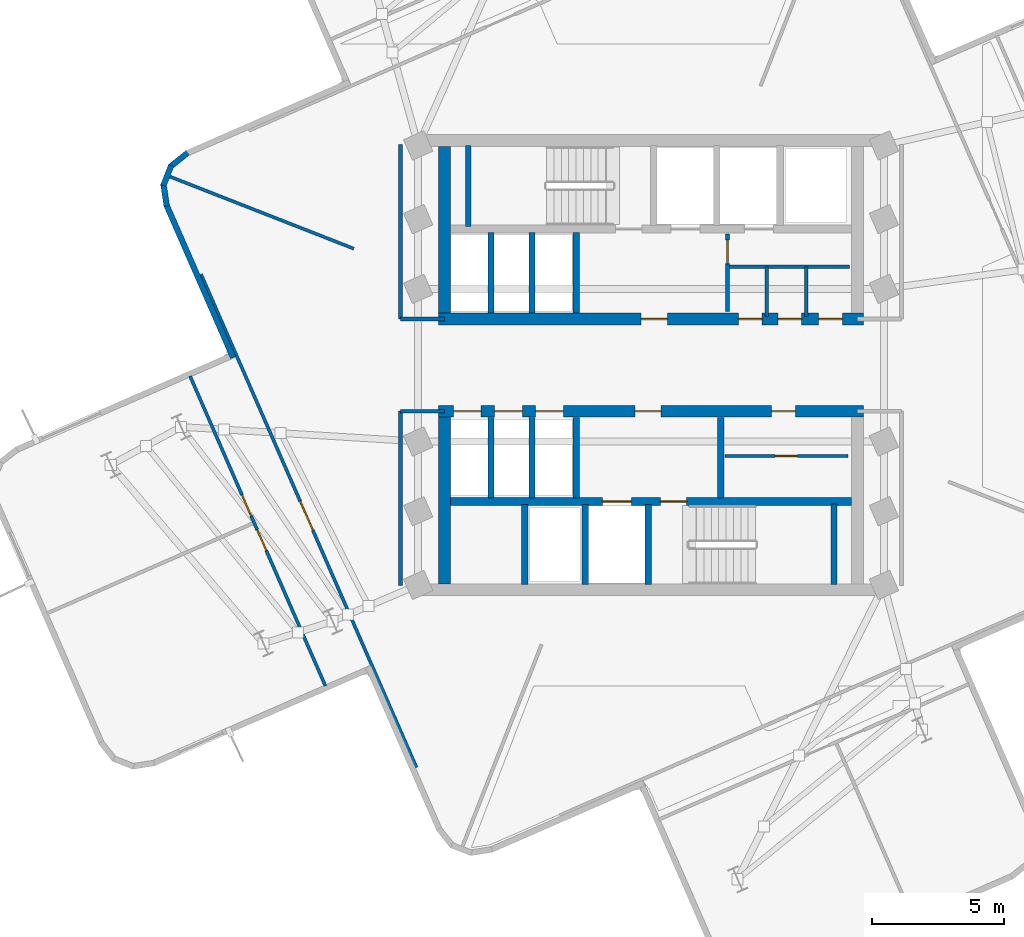
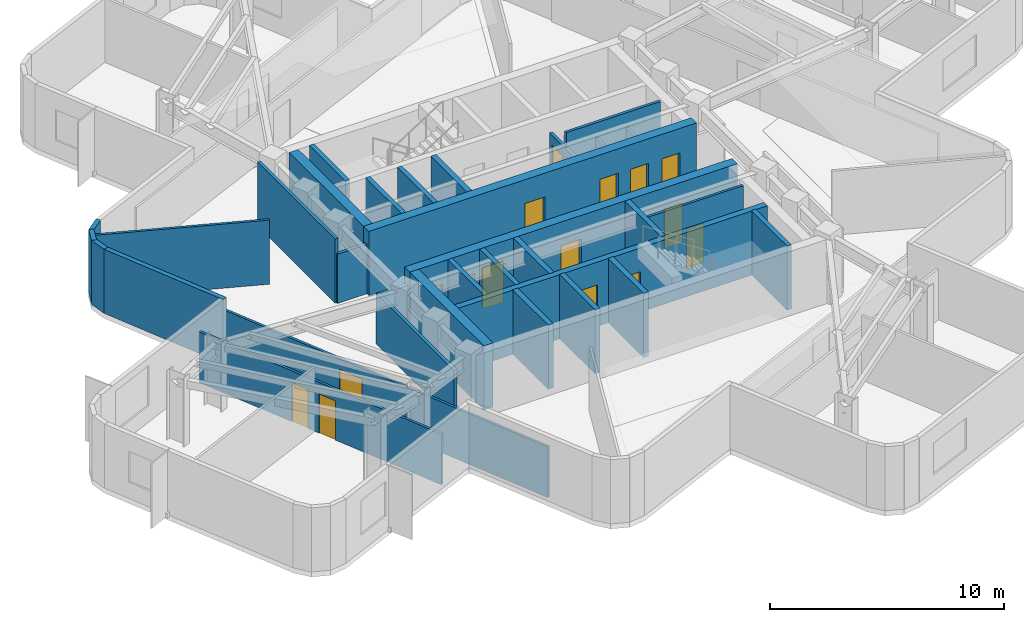
# One storey, part 3 of 8: 33 walls, 16 doors, 16 openings.
"""IFC4 building model written with IfcOpenShell, lengths in metres."""

from ifc_helpers import new_model, si_unit, direction, frame, frame_2d, origin, place, context, subcontext, project, spatial, rectangle, extrude, material, layer, layer_set, type_object, element, fill, save


model = new_model("IFC4")

# Units and contexts
model_context = context("Model", 3, precision=1e-05, world=origin(), true_north=direction((0.0, 1.0)))
body_context = subcontext(model_context, "Body", "Model", "MODEL_VIEW")
ifc_project = project(units=[si_unit("LENGTHUNIT", "METRE"), si_unit("AREAUNIT", "SQUARE_METRE"), si_unit("VOLUMEUNIT", "CUBIC_METRE"), si_unit("PLANEANGLEUNIT", "RADIAN"), si_unit("MASSUNIT", "GRAM", prefix="KILO")], contexts=[model_context])

# Site, building, storey
site_placement = place(None, origin())
site = spatial("IfcSite", under=ifc_project, at=site_placement, CompositionType="ELEMENT")
building_placement = place(site_placement, origin())
building = spatial("IfcBuilding", under=site, at=building_placement, Name="Solmarez Civic Tower", CompositionType="ELEMENT")
storey_placement = place(building_placement, frame((0.0, 0.0, 181.080078125)))
storey = spatial("IfcBuildingStorey", under=building, at=storey_placement, Name="L48", CompositionType="ELEMENT", Elevation=181.080078125)

# Wall, openings, doors
ifc_material_1 = material(Name="Concrete C50/60", Category="concrete")
ifc_layer_1 = layer(ifc_material_1, 0.449951171875)
ifc_layer_set_1 = layer_set([ifc_layer_1], Name="Concrete C50/60")
wall_type_1 = type_object("IfcWallType", Name="WALL-CORE-450", PredefinedType="SHEAR", material=ifc_layer_set_1)
wall_1_placement = place(storey_placement, frame((8.070068359375, 1.75, 0.0), z_axis=(0.0, 0.0, 1.0), x_axis=(-1.0, 0.0, 0.0)))
wall_1 = element("IfcWall", 1, at=wall_1_placement, inside=storey, type_object=wall_type_1, Name="L48 Split-Core Structural Wall NCW-S-L48", PredefinedType="SHEAR", context=body_context, shape_type="SweptSolid", body=[
    extrude(rectangle(XDim=16.14013671875, YDim=0.449951171875, at=frame_2d((8.070068359375, 0.0))), origin(), (0.0, 0.0, 1.0), 3.33984375),
])
opening_1_placement = place(wall_1_placement, frame((7.449951171875, 0.0, 0.0)))
opening_1 = element("IfcOpeningElement", 2, at=opening_1_placement, cuts=wall_1, Name="Opening D-04", PredefinedType="OPENING", context=body_context, shape_type="SweptSolid", body=[
    extrude(rectangle(XDim=1.0, YDim=2.10009765625, at=frame_2d((0.5, 1.050048828125))), frame((0.0, 0.23486328125, 0.0), z_axis=(0.0, -1.0, 0.0), x_axis=(1.0, 0.0, 0.0)), (0.0, 0.0, 1.0), 0.469970703125),
])
opening_2_placement = place(wall_1_placement, frame((3.85009765625, 0.0, 0.0)))
opening_2 = element("IfcOpeningElement", 3, at=opening_2_placement, cuts=wall_1, Name="Opening D-09", PredefinedType="OPENING", context=body_context, shape_type="SweptSolid", body=[
    extrude(rectangle(XDim=0.89990234375, YDim=2.06005859375, at=frame_2d((0.449951171875, 1.030029296875))), frame((0.0, 0.23486328125, 0.0), z_axis=(0.0, -1.0, 0.0), x_axis=(1.0, 0.0, 0.0)), (0.0, 0.0, 1.0), 0.469970703125),
])
opening_3_placement = place(wall_1_placement, frame((2.35009765625, 0.0, 0.0)))
opening_3 = element("IfcOpeningElement", 4, at=opening_3_placement, cuts=wall_1, Name="Opening D-09", PredefinedType="OPENING", context=body_context, shape_type="SweptSolid", body=[
    extrude(rectangle(XDim=0.89990234375, YDim=2.06005859375, at=frame_2d((0.449951171875, 1.030029296875))), frame((0.0, 0.23486328125, 0.0), z_axis=(0.0, -1.0, 0.0), x_axis=(1.0, 0.0, 0.0)), (0.0, 0.0, 1.0), 0.469970703125),
])
opening_4_placement = place(wall_1_placement, frame((0.800048828125, 0.0, 0.0)))
opening_4 = element("IfcOpeningElement", 5, at=opening_4_placement, cuts=wall_1, Name="Opening D-09", PredefinedType="OPENING", context=body_context, shape_type="SweptSolid", body=[
    extrude(rectangle(XDim=0.89990234375, YDim=2.06005859375, at=frame_2d((0.449951171875, 1.030029296875))), frame((0.0, 0.23486328125, 0.0), z_axis=(0.0, -1.0, 0.0), x_axis=(1.0, 0.0, 0.0)), (0.0, 0.0, 1.0), 0.469970703125),
])
ifc_material_2 = material(Name="Steel-Faced Acoustic Fire Door", Category="steel")
door_type_1 = type_object("IfcDoorType", Name="DOOR-FD60-1000", OperationType="NOTDEFINED", PredefinedType="DOOR", material=ifc_material_2)
door_1_placement = place(opening_1_placement, origin())
door_1 = element("IfcDoor", 6, at=door_1_placement, inside=storey, type_object=door_type_1, Name="L48 North Firefighting Lobby Door", OperationType="SINGLE_SWING_LEFT", OverallHeight=2.10009765625, OverallWidth=1.0, PredefinedType="DOOR", context=body_context, shape_type="SweptSolid", body=[
    extrude(rectangle(XDim=1.0, YDim=2.10009765625, at=frame_2d((0.5, 1.050048828125))), frame((0.0, 0.02490234375, 0.0), z_axis=(0.0, -1.0, 0.0), x_axis=(1.0, 0.0, 0.0)), (0.0, 0.0, 1.0), 0.050048828125),
])
fill(opening_1, door_1)
ifc_material_3 = material(Name="Fire-Rated Service Core Door", Category="wood")
door_type_2 = type_object("IfcDoorType", Name="DOOR-FD60-900", OperationType="NOTDEFINED", PredefinedType="DOOR", material=ifc_material_3)
door_2_placement = place(opening_2_placement, origin())
door_2 = element("IfcDoor", 7, at=door_2_placement, inside=storey, type_object=door_type_2, Name="L48 Core WC Door", OperationType="SINGLE_SWING_RIGHT", OverallHeight=2.06005859375, OverallWidth=0.89990234375, PredefinedType="DOOR", context=body_context, shape_type="SweptSolid", body=[
    extrude(rectangle(XDim=0.89990234375, YDim=2.06005859375, at=frame_2d((0.449951171875, 1.030029296875))), frame((0.0, 0.02490234375, 0.0), z_axis=(0.0, -1.0, 0.0), x_axis=(1.0, 0.0, 0.0)), (0.0, 0.0, 1.0), 0.050048828125),
])
fill(opening_2, door_2)
door_3_placement = place(opening_3_placement, origin())
door_3 = element("IfcDoor", 8, at=door_3_placement, inside=storey, type_object=door_type_2, Name="L48 Core CL Door", OperationType="SINGLE_SWING_LEFT", OverallHeight=2.06005859375, OverallWidth=0.89990234375, PredefinedType="DOOR", context=body_context, shape_type="SweptSolid", body=[
    extrude(rectangle(XDim=0.89990234375, YDim=2.06005859375, at=frame_2d((0.449951171875, 1.030029296875))), frame((0.0, 0.02490234375, 0.0), z_axis=(0.0, -1.0, 0.0), x_axis=(1.0, 0.0, 0.0)), (0.0, 0.0, 1.0), 0.050048828125),
])
fill(opening_3, door_3)
door_4_placement = place(opening_4_placement, origin())
door_4 = element("IfcDoor", 9, at=door_4_placement, inside=storey, type_object=door_type_2, Name="L48 Core IT Door", OperationType="SINGLE_SWING_LEFT", OverallHeight=2.06005859375, OverallWidth=0.89990234375, PredefinedType="DOOR", context=body_context, shape_type="SweptSolid", body=[
    extrude(rectangle(XDim=0.89990234375, YDim=2.06005859375, at=frame_2d((0.449951171875, 1.030029296875))), frame((0.0, 0.02490234375, 0.0), z_axis=(0.0, -1.0, 0.0), x_axis=(1.0, 0.0, 0.0)), (0.0, 0.0, 1.0), 0.050048828125),
])
fill(opening_4, door_4)

# Wall
wall_2_placement = place(storey_placement, frame((-7.844970703125, 1.97509765625, 0.0), z_axis=(0.0, 0.0, 1.0), x_axis=(0.0, 1.0, 0.0)))
element("IfcWall", 10, at=wall_2_placement, inside=storey, type_object=wall_type_1, Name="L48 Split-Core Structural Wall NCW-W-L48", PredefinedType="SHEAR", context=body_context, shape_type="SweptSolid", body=[
    extrude(rectangle(XDim=6.3349609375, YDim=0.449951171875, at=frame_2d((3.16748046875, 0.0))), origin(), (0.0, 0.0, 1.0), 3.33984375),
])

# Wall, openings, doors
wall_3_placement = place(storey_placement, frame((-8.070068359375, -1.75, 0.0), z_axis=(0.0, 0.0, 1.0), x_axis=(1.0, 0.0, 0.0)))
wall_3 = element("IfcWall", 11, at=wall_3_placement, inside=storey, type_object=wall_type_1, Name="L48 Split-Core Structural Wall SCW-N-L48", PredefinedType="SHEAR", context=body_context, shape_type="SweptSolid", body=[
    extrude(rectangle(XDim=16.14013671875, YDim=0.449951171875, at=frame_2d((8.070068359375, 0.0))), origin(), (0.0, 0.0, 1.0), 3.33984375),
])
opening_5_placement = place(wall_3_placement, frame((7.449951171875, 0.0, 0.0)))
opening_5 = element("IfcOpeningElement", 12, at=opening_5_placement, cuts=wall_3, Name="Opening D-04", PredefinedType="OPENING", context=body_context, shape_type="SweptSolid", body=[
    extrude(rectangle(XDim=1.0, YDim=2.10009765625, at=frame_2d((0.5, 1.050048828125))), frame((0.0, 0.23486328125, 0.0), z_axis=(0.0, -1.0, 0.0), x_axis=(1.0, 0.0, 0.0)), (0.0, 0.0, 1.0), 0.469970703125),
])
opening_6_placement = place(wall_3_placement, frame((12.64990234375, 0.0, 0.0)))
opening_6 = element("IfcOpeningElement", 13, at=opening_6_placement, cuts=wall_3, Name="Opening D-09", PredefinedType="OPENING", context=body_context, shape_type="SweptSolid", body=[
    extrude(rectangle(XDim=0.89990234375, YDim=2.06005859375, at=frame_2d((0.449951171875, 1.030029296875))), frame((0.0, 0.23486328125, 0.0), z_axis=(0.0, -1.0, 0.0), x_axis=(1.0, 0.0, 0.0)), (0.0, 0.0, 1.0), 0.469970703125),
])
opening_7_placement = place(wall_3_placement, frame((0.56494140625, 0.0, 0.0)))
opening_7 = element("IfcOpeningElement", 14, at=opening_7_placement, cuts=wall_3, Name="Opening LD-01", PredefinedType="OPENING", context=body_context, shape_type="SweptSolid", body=[
    extrude(rectangle(XDim=1.050048828125, YDim=2.14990234375, at=frame_2d((0.52490234375, 1.074951171875))), frame((0.0, 0.23486328125, 0.0), z_axis=(0.0, -1.0, 0.0), x_axis=(1.0, 0.0, 0.0)), (0.0, 0.0, 1.0), 0.469970703125),
])
opening_8_placement = place(wall_3_placement, frame((2.125, 0.0, 0.0)))
opening_8 = element("IfcOpeningElement", 15, at=opening_8_placement, cuts=wall_3, Name="Opening LD-01", PredefinedType="OPENING", context=body_context, shape_type="SweptSolid", body=[
    extrude(rectangle(XDim=1.050048828125, YDim=2.14990234375, at=frame_2d((0.52490234375, 1.074951171875))), frame((0.0, 0.23486328125, 0.0), z_axis=(0.0, -1.0, 0.0), x_axis=(1.0, 0.0, 0.0)), (0.0, 0.0, 1.0), 0.469970703125),
])
opening_9_placement = place(wall_3_placement, frame((3.68505859375, 0.0, 0.0)))
opening_9 = element("IfcOpeningElement", 16, at=opening_9_placement, cuts=wall_3, Name="Opening LD-01", PredefinedType="OPENING", context=body_context, shape_type="SweptSolid", body=[
    extrude(rectangle(XDim=1.050048828125, YDim=2.14990234375, at=frame_2d((0.52490234375, 1.074951171875))), frame((0.0, 0.23486328125, 0.0), z_axis=(0.0, -1.0, 0.0), x_axis=(1.0, 0.0, 0.0)), (0.0, 0.0, 1.0), 0.469970703125),
])
door_5_placement = place(opening_5_placement, origin())
door_5 = element("IfcDoor", 17, at=door_5_placement, inside=storey, type_object=door_type_1, Name="L48 South Firefighting Lobby Door", OperationType="SINGLE_SWING_RIGHT", OverallHeight=2.10009765625, OverallWidth=1.0, PredefinedType="DOOR", context=body_context, shape_type="SweptSolid", body=[
    extrude(rectangle(XDim=1.0, YDim=2.10009765625, at=frame_2d((0.5, 1.050048828125))), frame((0.0, 0.02490234375, 0.0), z_axis=(0.0, -1.0, 0.0), x_axis=(1.0, 0.0, 0.0)), (0.0, 0.0, 1.0), 0.050048828125),
])
fill(opening_5, door_5)
door_6_placement = place(opening_6_placement, origin())
door_6 = element("IfcDoor", 18, at=door_6_placement, inside=storey, type_object=door_type_2, Name="L48 Freed Hoistway Mailroom Door", OperationType="SINGLE_SWING_LEFT", OverallHeight=2.06005859375, OverallWidth=0.89990234375, PredefinedType="DOOR", context=body_context, shape_type="SweptSolid", body=[
    extrude(rectangle(XDim=0.89990234375, YDim=2.06005859375, at=frame_2d((0.449951171875, 1.030029296875))), frame((0.0, 0.02490234375, 0.0), z_axis=(0.0, -1.0, 0.0), x_axis=(1.0, 0.0, 0.0)), (0.0, 0.0, 1.0), 0.050048828125),
])
fill(opening_6, door_6)
ifc_material_4 = material(Name="Bronze Passenger Lift Landing Sliding Door", Category="aluminium")
door_type_3 = type_object("IfcDoorType", Name="DOOR-LD-PAX-1050", OperationType="DOUBLE_DOOR_SLIDING", PredefinedType="DOOR", material=ifc_material_4)
door_7_placement = place(opening_7_placement, origin())
door_7 = element("IfcDoor", 19, at=door_7_placement, inside=storey, type_object=door_type_3, Name="L48 Mid-Rise Lift Landing Door PL-M1", OperationType="DOUBLE_DOOR_SLIDING", OverallHeight=2.14990234375, OverallWidth=1.050048828125, PredefinedType="DOOR", context=body_context, shape_type="SweptSolid", body=[
    extrude(rectangle(XDim=1.050048828125, YDim=2.14990234375, at=frame_2d((0.52490234375, 1.074951171875))), frame((0.0, 0.02490234375, 0.0), z_axis=(0.0, -1.0, 0.0), x_axis=(1.0, 0.0, 0.0)), (0.0, 0.0, 1.0), 0.050048828125),
])
fill(opening_7, door_7)
door_8_placement = place(opening_8_placement, origin())
door_8 = element("IfcDoor", 20, at=door_8_placement, inside=storey, type_object=door_type_3, Name="L48 Mid-Rise Lift Landing Door PL-M2", OperationType="DOUBLE_DOOR_SLIDING", OverallHeight=2.14990234375, OverallWidth=1.050048828125, PredefinedType="DOOR", context=body_context, shape_type="SweptSolid", body=[
    extrude(rectangle(XDim=1.050048828125, YDim=2.14990234375, at=frame_2d((0.52490234375, 1.074951171875))), frame((0.0, 0.02490234375, 0.0), z_axis=(0.0, -1.0, 0.0), x_axis=(1.0, 0.0, 0.0)), (0.0, 0.0, 1.0), 0.050048828125),
])
fill(opening_8, door_8)
door_9_placement = place(opening_9_placement, origin())
door_9 = element("IfcDoor", 21, at=door_9_placement, inside=storey, type_object=door_type_3, Name="L48 Mid-Rise Lift Landing Door PL-M3", OperationType="DOUBLE_DOOR_SLIDING", OverallHeight=2.14990234375, OverallWidth=1.050048828125, PredefinedType="DOOR", context=body_context, shape_type="SweptSolid", body=[
    extrude(rectangle(XDim=1.050048828125, YDim=2.14990234375, at=frame_2d((0.52490234375, 1.074951171875))), frame((0.0, 0.02490234375, 0.0), z_axis=(0.0, -1.0, 0.0), x_axis=(1.0, 0.0, 0.0)), (0.0, 0.0, 1.0), 0.050048828125),
])
fill(opening_9, door_9)

# Walls
wall_4_placement = place(storey_placement, frame((-7.844970703125, -8.31005859375, 0.0), z_axis=(0.0, 0.0, 1.0), x_axis=(0.0, 1.0, 0.0)))
element("IfcWall", 22, at=wall_4_placement, inside=storey, type_object=wall_type_1, Name="L48 Split-Core Structural Wall SCW-W-L48", PredefinedType="SHEAR", context=body_context, shape_type="SweptSolid", body=[
    extrude(rectangle(XDim=6.3349609375, YDim=0.449951171875, at=frame_2d((3.16748046875, 0.0))), origin(), (0.0, 0.0, 1.0), 3.33984375),
])
ifc_material_5 = material(Name="Precast concrete C40/50", Category="concrete")
ifc_layer_2 = layer(ifc_material_5, 0.219970703125)
ifc_layer_set_2 = layer_set([ifc_layer_2], Name="Precast concrete C40/50")
wall_type_2 = type_object("IfcWallType", Name="WALL-EXT-220", PredefinedType="SOLIDWALL", material=ifc_layer_set_2)
wall_5_placement = place(storey_placement, frame((-15.883056640625, 0.287109375, 0.0), z_axis=(0.0, 0.0, 1.0), x_axis=(-0.400352069216, 0.916361402872, 0.0)))
element("IfcWall", 23, at=wall_5_placement, inside=storey, type_object=wall_type_2, Name="L48 Exterior Precast Wall 13", PredefinedType="SOLIDWALL", context=body_context, shape_type="SweptSolid", body=[
    extrude(rectangle(XDim=6.339111328125, YDim=0.219970703125, at=frame_2d((3.16943359375, 0.0))), origin(), (0.0, 0.0, 1.0), 3.33984375),
])
wall_6_placement = place(storey_placement, frame((-18.406982421875, 6.048095703125, 0.0), z_axis=(0.0, 0.0, 1.0), x_axis=(-0.149814047271, 0.988714190876, 0.0)))
element("IfcWall", 24, at=wall_6_placement, inside=storey, type_object=wall_type_2, Name="L48 Exterior Precast Wall 14", PredefinedType="SOLIDWALL", context=body_context, shape_type="SweptSolid", body=[
    extrude(rectangle(XDim=0.83447265625, YDim=0.219970703125, at=frame_2d((0.417236328125, 0.0))), origin(), (0.0, 0.0, 1.0), 3.33984375),
])
wall_7_placement = place(storey_placement, frame((-18.537109375, 6.824951171875, 0.0), z_axis=(0.0, 0.0, 1.0), x_axis=(0.364331843435, 0.931269191941, 0.0)))
element("IfcWall", 25, at=wall_7_placement, inside=storey, type_object=wall_type_2, Name="L48 Exterior Precast Wall 15", PredefinedType="SOLIDWALL", context=body_context, shape_type="SweptSolid", body=[
    extrude(rectangle(XDim=0.818115234375, YDim=0.219970703125, at=frame_2d((0.4091796875, 0.0))), origin(), (0.0, 0.0, 1.0), 3.33984375),
])
wall_8_placement = place(storey_placement, frame((-18.26806640625, 7.548095703125, 0.0), z_axis=(0.0, 0.0, 1.0), x_axis=(0.781153625844, 0.624338860581, 0.0)))
element("IfcWall", 26, at=wall_8_placement, inside=storey, type_object=wall_type_2, Name="L48 Exterior Precast Wall 16", PredefinedType="SOLIDWALL", context=body_context, shape_type="SweptSolid", body=[
    extrude(rectangle(XDim=0.8359375, YDim=0.219970703125, at=frame_2d((0.41796875, 0.0))), origin(), (0.0, 0.0, 1.0), 3.33984375),
])
ifc_material_6 = material(Name="Gypsum Board Acoustic Steel-Stud Partition", Category="steel")
ifc_layer_3 = layer(ifc_material_6, 0.14990234375)
ifc_layer_set_3 = layer_set([ifc_layer_3], Name="Gypsum Board Acoustic Steel-Stud Partition")
wall_type_3 = type_object("IfcWallType", Name="WALL-INT-FIRE-150", PredefinedType="PARTITIONING", material=ifc_layer_set_3)
wall_9_placement = place(storey_placement, frame((-9.52001953125, 1.75, 0.0), z_axis=(0.0, 0.0, 1.0), x_axis=(0.0, 1.0, 0.0)))
element("IfcWall", 27, at=wall_9_placement, inside=storey, type_object=wall_type_3, Name="L48 Interior Partition CHW-L48-WN1", PredefinedType="PARTITIONING", context=body_context, shape_type="SweptSolid", body=[
    extrude(rectangle(XDim=6.6298828125, YDim=0.14990234375, at=frame_2d((3.31494140625, 0.0))), origin(), (0.0, 0.0, 1.0), 3.33984375),
])
wall_10_placement = place(storey_placement, frame((-7.85009765625, 1.75, 0.0), z_axis=(0.0, 0.0, 1.0), x_axis=(-1.0, 0.0, 0.0)))
element("IfcWall", 28, at=wall_10_placement, inside=storey, type_object=wall_type_3, Name="L48 Interior Partition CHW-L48-WN3", PredefinedType="PARTITIONING", context=body_context, shape_type="SweptSolid", body=[
    extrude(rectangle(XDim=1.669921875, YDim=0.14990234375, at=frame_2d((0.8349609375, 0.0))), origin(), (0.0, 0.0, 1.0), 2.56982421875),
])
wall_11_placement = place(storey_placement, frame((-9.52001953125, -8.3798828125, 0.0), z_axis=(0.0, 0.0, 1.0), x_axis=(0.0, 1.0, 0.0)))
element("IfcWall", 29, at=wall_11_placement, inside=storey, type_object=wall_type_3, Name="L48 Interior Partition CHW-L48-WS1", PredefinedType="PARTITIONING", context=body_context, shape_type="SweptSolid", body=[
    extrude(rectangle(XDim=6.6298828125, YDim=0.14990234375, at=frame_2d((3.31494140625, 0.0))), origin(), (0.0, 0.0, 1.0), 2.64404296875),
])
wall_12_placement = place(storey_placement, frame((-7.85009765625, -1.75, 0.0), z_axis=(0.0, 0.0, 1.0), x_axis=(-1.0, 0.0, 0.0)))
element("IfcWall", 30, at=wall_12_placement, inside=storey, type_object=wall_type_3, Name="L48 Interior Partition CHW-L48-WS3", PredefinedType="PARTITIONING", context=body_context, shape_type="SweptSolid", body=[
    extrude(rectangle(XDim=1.669921875, YDim=0.14990234375, at=frame_2d((0.8349609375, 0.0))), origin(), (0.0, 0.0, 1.0), 2.56982421875),
])

# Wall, opening, door
ifc_layer_4 = layer(ifc_material_6, 0.1201171875)
ifc_layer_set_4 = layer_set([ifc_layer_4], Name="Gypsum Board Acoustic Steel-Stud Partition")
wall_type_4 = type_object("IfcWallType", Name="WALL-INT-PART-120", PredefinedType="PARTITIONING", material=ifc_layer_set_4)
wall_13_placement = place(storey_placement, frame((2.800048828125, -3.449951171875, 0.0), z_axis=(0.0, 0.0, 1.0), x_axis=(1.0, 0.0, 0.0)))
wall_13 = element("IfcWall", 31, at=wall_13_placement, inside=storey, type_object=wall_type_4, Name="L48 Interior Partition PT-FPLL-L48", PredefinedType="PARTITIONING", context=body_context, shape_type="SweptSolid", body=[
    extrude(rectangle(XDim=4.679931640625, YDim=0.1201171875, at=frame_2d((2.33984375, 0.0))), origin(), (0.0, 0.0, 1.0), 3.33984375),
])
opening_10_placement = place(wall_13_placement, frame((1.89990234375, 0.0, 0.0)))
opening_10 = element("IfcOpeningElement", 32, at=opening_10_placement, cuts=wall_13, Name="Opening D-14", PredefinedType="OPENING", context=body_context, shape_type="SweptSolid", body=[
    extrude(rectangle(XDim=0.860107421875, YDim=2.0400390625, at=frame_2d((0.43017578125, 1.02001953125))), frame((0.0, 0.070068359375, 0.0), z_axis=(0.0, -1.0, 0.0), x_axis=(1.0, 0.0, 0.0)), (0.0, 0.0, 1.0), 0.14013671875),
])
ifc_material_7 = material(Name="Timber Storage and Pantry Door", Category="wood")
door_type_4 = type_object("IfcDoorType", Name="DOOR-INT-850", OperationType="NOTDEFINED", PredefinedType="DOOR", material=ifc_material_7)
door_10_placement = place(opening_10_placement, origin())
door_10 = element("IfcDoor", 33, at=door_10_placement, inside=storey, type_object=door_type_4, Name="L48 Records Filing Room Door", OperationType="SINGLE_SWING_LEFT", OverallHeight=2.0400390625, OverallWidth=0.860107421875, PredefinedType="DOOR", context=body_context, shape_type="SweptSolid", body=[
    extrude(rectangle(XDim=0.860107421875, YDim=2.0400390625, at=frame_2d((0.43017578125, 1.02001953125))), frame((0.0, 0.02490234375, 0.0), z_axis=(0.0, -1.0, 0.0), x_axis=(1.0, 0.0, 0.0)), (0.0, 0.0, 1.0), 0.050048828125),
])
fill(opening_10, door_10)

# Wall
wall_14_placement = place(storey_placement, frame((-11.300048828125, 4.428955078125, 0.0), z_axis=(0.0, 0.0, 1.0), x_axis=(-0.931071596241, 0.364836514995, 0.0)))
element("IfcWall", 34, at=wall_14_placement, inside=storey, type_object=wall_type_4, Name="L48 Interior Partition PT-L48-QDIV-2", PredefinedType="PARTITIONING", context=body_context, shape_type="SweptSolid", body=[
    extrude(rectangle(XDim=7.53759765625, YDim=0.1201171875, at=frame_2d((3.768798828125, 0.0))), origin(), (0.0, 0.0, 1.0), 3.33984375),
])

# Wall, opening, door
wall_15_placement = place(storey_placement, frame((-8.9150390625, -15.2880859375, 0.0), z_axis=(0.0, 0.0, 1.0), x_axis=(-0.400335531383, 0.916368627962, 0.0)))
wall_15 = element("IfcWall", 35, at=wall_15_placement, inside=storey, type_object=wall_type_4, Name="L48 Interior Partition PT-L48-W-ENT", PredefinedType="PARTITIONING", context=body_context, shape_type="SweptSolid", body=[
    extrude(rectangle(XDim=20.460205078125, YDim=0.1201171875, at=frame_2d((10.22998046875, 0.0))), origin(), (0.0, 0.0, 1.0), 2.64404296875),
])
opening_11_placement = place(wall_15_placement, frame((9.840087890625, 0.0, 0.0)))
opening_11 = element("IfcOpeningElement", 36, at=opening_11_placement, cuts=wall_15, Name="Opening D-11", PredefinedType="OPENING", context=body_context, shape_type="SweptSolid", body=[
    extrude(rectangle(XDim=1.199951171875, YDim=2.10009765625, at=frame_2d((0.60009765625, 1.050048828125))), frame((0.0, 0.070068359375, 0.0), z_axis=(0.0, -1.0, 0.0), x_axis=(1.0, 0.0, 0.0)), (0.0, 0.0, 1.0), 0.14013671875),
])
ifc_material_8 = material(Name="Glazed-Vision Acoustic Chamber Door", Category="wood")
door_type_5 = type_object("IfcDoorType", Name="DOOR-INT-1200", OperationType="NOTDEFINED", PredefinedType="DOOR", material=ifc_material_8)
door_11_placement = place(opening_11_placement, origin())
door_11 = element("IfcDoor", 37, at=door_11_placement, inside=storey, type_object=door_type_5, Name="L48 Protocol Reception Room First West Door", OperationType="SINGLE_SWING_LEFT", OverallHeight=2.10009765625, OverallWidth=1.199951171875, PredefinedType="DOOR", context=body_context, shape_type="SweptSolid", body=[
    extrude(rectangle(XDim=1.199951171875, YDim=2.10009765625, at=frame_2d((0.60009765625, 1.050048828125))), frame((0.0, 0.02490234375, 0.0), z_axis=(0.0, -1.0, 0.0), x_axis=(1.0, 0.0, 0.0)), (0.0, 0.0, 1.0), 0.050048828125),
])
fill(opening_11, door_11)

# Wall, openings, doors
wall_16_placement = place(storey_placement, frame((-17.52001953125, -0.4140625, 0.0), z_axis=(0.0, 0.0, 1.0), x_axis=(0.400330383156, -0.916370877059, 0.0)))
wall_16 = element("IfcWall", 38, at=wall_16_placement, inside=storey, type_object=wall_type_4, Name="L48 Interior Partition PT-L48-W-SCUT", PredefinedType="PARTITIONING", context=body_context, shape_type="SweptSolid", body=[
    extrude(rectangle(XDim=12.849609375, YDim=0.1201171875, at=frame_2d((6.4248046875, 0.0))), origin(), (0.0, 0.0, 1.0), 2.64404296875),
])
opening_12_placement = place(wall_16_placement, frame((4.93505859375, 0.0, 0.0)))
opening_12 = element("IfcOpeningElement", 39, at=opening_12_placement, cuts=wall_16, Name="Opening D-14", PredefinedType="OPENING", context=body_context, shape_type="SweptSolid", body=[
    extrude(rectangle(XDim=0.860107421875, YDim=2.0400390625, at=frame_2d((0.43017578125, 1.02001953125))), frame((0.0, 0.070068359375, 0.0), z_axis=(0.0, -1.0, 0.0), x_axis=(1.0, 0.0, 0.0)), (0.0, 0.0, 1.0), 0.14013671875),
])
opening_13_placement = place(wall_16_placement, frame((6.375, 0.0, 0.0)))
opening_13 = element("IfcOpeningElement", 40, at=opening_13_placement, cuts=wall_16, Name="Opening D-14", PredefinedType="OPENING", context=body_context, shape_type="SweptSolid", body=[
    extrude(rectangle(XDim=0.860107421875, YDim=2.0400390625, at=frame_2d((0.43017578125, 1.02001953125))), frame((0.0, 0.070068359375, 0.0), z_axis=(0.0, -1.0, 0.0), x_axis=(1.0, 0.0, 0.0)), (0.0, 0.0, 1.0), 0.14013671875),
])
door_12_placement = place(opening_12_placement, origin())
door_12 = element("IfcDoor", 41, at=door_12_placement, inside=storey, type_object=door_type_4, Name="L48 Executive Boardroom Third West Door", OperationType="SINGLE_SWING_RIGHT", OverallHeight=2.0400390625, OverallWidth=0.860107421875, PredefinedType="DOOR", context=body_context, shape_type="SweptSolid", body=[
    extrude(rectangle(XDim=0.860107421875, YDim=2.0400390625, at=frame_2d((0.43017578125, 1.02001953125))), frame((0.0, 0.02490234375, 0.0), z_axis=(0.0, -1.0, 0.0), x_axis=(1.0, 0.0, 0.0)), (0.0, 0.0, 1.0), 0.050048828125),
])
fill(opening_12, door_12)
door_13_placement = place(opening_13_placement, origin())
door_13 = element("IfcDoor", 42, at=door_13_placement, inside=storey, type_object=door_type_4, Name="L48 Security Control Room Second West Door", OperationType="SINGLE_SWING_LEFT", OverallHeight=2.0400390625, OverallWidth=0.860107421875, PredefinedType="DOOR", context=body_context, shape_type="SweptSolid", body=[
    extrude(rectangle(XDim=0.860107421875, YDim=2.0400390625, at=frame_2d((0.43017578125, 1.02001953125))), frame((0.0, 0.02490234375, 0.0), z_axis=(0.0, -1.0, 0.0), x_axis=(1.0, 0.0, 0.0)), (0.0, 0.0, 1.0), 0.050048828125),
])
fill(opening_13, door_13)

# Wall, opening, door
ifc_layer_5 = layer(ifc_material_6, 0.159912109375)
ifc_layer_set_5 = layer_set([ifc_layer_5], Name="Gypsum Board Acoustic Steel-Stud Partition")
wall_type_5 = type_object("IfcWallType", Name="WALL-INT-SHAFT-160", PredefinedType="PARTITIONING", material=ifc_layer_set_5)
wall_17_placement = place(storey_placement, frame((2.89990234375, 2.0400390625, 0.0), z_axis=(0.0, 0.0, 1.0), x_axis=(0.0, 1.0, 0.0)))
wall_17 = element("IfcWall", 43, at=wall_17_placement, inside=storey, type_object=wall_type_5, Name="L48 Interior Partition SHW-NL2-L48", PredefinedType="PARTITIONING", context=body_context, shape_type="SweptSolid", body=[
    extrude(rectangle(XDim=2.93994140625, YDim=0.159912109375, at=frame_2d((1.469970703125, 0.0))), origin(), (0.0, 0.0, 1.0), 2.56982421875),
])
opening_14_placement = place(wall_17_placement, frame((1.820068359375, 0.0, 0.0)))
opening_14 = element("IfcOpeningElement", 44, at=opening_14_placement, cuts=wall_17, Name="Opening D-09", PredefinedType="OPENING", context=body_context, shape_type="SweptSolid", body=[
    extrude(rectangle(XDim=0.89990234375, YDim=2.06005859375, at=frame_2d((0.449951171875, 1.030029296875))), frame((0.0, 0.08984375, 0.0), z_axis=(0.0, -1.0, 0.0), x_axis=(1.0, 0.0, 0.0)), (0.0, 0.0, 1.0), 0.179931640625),
])
door_14_placement = place(opening_14_placement, origin())
door_14 = element("IfcDoor", 45, at=door_14_placement, inside=storey, type_object=door_type_2, Name="L48 Service Lift Lobby Door", OperationType="SINGLE_SWING_LEFT", OverallHeight=2.06005859375, OverallWidth=0.89990234375, PredefinedType="DOOR", context=body_context, shape_type="SweptSolid", body=[
    extrude(rectangle(XDim=0.89990234375, YDim=2.06005859375, at=frame_2d((0.449951171875, 1.030029296875))), frame((0.0, 0.02490234375, 0.0), z_axis=(0.0, -1.0, 0.0), x_axis=(1.0, 0.0, 0.0)), (0.0, 0.0, 1.0), 0.050048828125),
])
fill(opening_14, door_14)

# Walls
ifc_layer_6 = layer(ifc_material_6, 0.137939453125)
ifc_layer_set_6 = layer_set([ifc_layer_6], Name="Gypsum Board Acoustic Steel-Stud Partition")
wall_type_6 = type_object("IfcWallType", Name="WALL-INT-WET-140", PredefinedType="PARTITIONING", material=ifc_layer_set_6)
wall_18_placement = place(storey_placement, frame((2.89990234375, 3.739990234375, 0.0), z_axis=(0.0, 0.0, 1.0), x_axis=(1.0, 0.0, 0.0)))
element("IfcWall", 46, at=wall_18_placement, inside=storey, type_object=wall_type_6, Name="L48 Interior Partition SHW-SVH-L48", PredefinedType="PARTITIONING", context=body_context, shape_type="SweptSolid", body=[
    extrude(rectangle(XDim=4.650146484375, YDim=0.137939453125, at=frame_2d((2.3251953125, 0.0))), origin(), (0.0, 0.0, 1.0), 3.33984375),
])
for number, where, z_axis, x_axis, name in (
    (47, (4.39990234375, 1.85009765625, 0.0), (0.0, 0.0, 1.0), (0.0, 1.0, 0.0), "L48 Interior Partition PT-NCSV1-L48"),
    (48, (5.89990234375, 1.85009765625, 0.0), (0.0, 0.0, 1.0), (0.0, 1.0, 0.0), "L48 Interior Partition PT-NCSV2-L48"),
):
    element("IfcWall", number, at=place(storey_placement, frame(where, z_axis=z_axis, x_axis=x_axis)), inside=storey, type_object=wall_type_6, Name=name, PredefinedType="PARTITIONING", context=body_context, shape_type="SweptSolid", body=[
        extrude(rectangle(XDim=1.889892578125, YDim=0.137939453125, at=frame_2d((0.94482421875, 0.0))), origin(), (0.0, 0.0, 1.0), 2.56982421875),
    ])

# Wall, openings, doors
ifc_layer_7 = layer(ifc_material_1, 0.300048828125)
ifc_layer_set_7 = layer_set([ifc_layer_7], Name="Concrete C50/60")
wall_type_7 = type_object("IfcWallType", Name="WALL-STR-300", PredefinedType="SOLIDWALL", material=ifc_layer_set_7)
wall_19_placement = place(storey_placement, frame((-7.6201171875, -5.179931640625, 0.0), z_axis=(0.0, 0.0, 1.0), x_axis=(1.0, 0.0, 0.0)))
wall_19 = element("IfcWall", 49, at=wall_19_placement, inside=storey, type_object=wall_type_7, Name="L48 Split-Core Structural Wall SCW-M-L48", PredefinedType="SOLIDWALL", context=body_context, shape_type="SweptSolid", body=[
    extrude(rectangle(XDim=15.240234375, YDim=0.300048828125, at=frame_2d((7.6201171875, 0.0))), origin(), (0.0, 0.0, 1.0), 3.33984375),
])
opening_15_placement = place(wall_19_placement, frame((5.77001953125, 0.0, 0.0)))
opening_15 = element("IfcOpeningElement", 50, at=opening_15_placement, cuts=wall_19, Name="Opening LD-02", PredefinedType="OPENING", context=body_context, shape_type="SweptSolid", body=[
    extrude(rectangle(XDim=1.10009765625, YDim=2.14990234375, at=frame_2d((0.550048828125, 1.074951171875))), frame((0.0, 0.159912109375, 0.0), z_axis=(0.0, -1.0, 0.0), x_axis=(1.0, 0.0, 0.0)), (0.0, 0.0, 1.0), 0.320068359375),
])
opening_16_placement = place(wall_19_placement, frame((7.969970703125, 0.0, 0.0)))
opening_16 = element("IfcOpeningElement", 51, at=opening_16_placement, cuts=wall_19, Name="Opening D-05", PredefinedType="OPENING", context=body_context, shape_type="SweptSolid", body=[
    extrude(rectangle(XDim=1.0, YDim=2.10009765625, at=frame_2d((0.5, 1.050048828125))), frame((0.0, 0.159912109375, 0.0), z_axis=(0.0, -1.0, 0.0), x_axis=(1.0, 0.0, 0.0)), (0.0, 0.0, 1.0), 0.320068359375),
])
ifc_material_9 = material(Name="Fire-Rated Stairwell Exit Door", Category="wood")
door_type_6 = type_object("IfcDoorType", Name="DOOR-FD90-1000", OperationType="NOTDEFINED", PredefinedType="DOOR", material=ifc_material_9)
door_15_placement = place(opening_16_placement, origin())
door_15 = element("IfcDoor", 52, at=door_15_placement, inside=storey, type_object=door_type_6, Name="L48 South Exit Stair Door ST-2", OperationType="SINGLE_SWING_RIGHT", OverallHeight=2.10009765625, OverallWidth=1.0, PredefinedType="DOOR", context=body_context, shape_type="SweptSolid", body=[
    extrude(rectangle(XDim=1.0, YDim=2.10009765625, at=frame_2d((0.5, 1.050048828125))), frame((0.0, 0.02490234375, 0.0), z_axis=(0.0, -1.0, 0.0), x_axis=(1.0, 0.0, 0.0)), (0.0, 0.0, 1.0), 0.050048828125),
])
fill(opening_16, door_15)
ifc_material_10 = material(Name="Stainless Firefighting Lift Landing Sliding Door", Category="aluminium")
door_type_7 = type_object("IfcDoorType", Name="DOOR-LD-FF-1100", OperationType="DOUBLE_DOOR_SLIDING", PredefinedType="DOOR", material=ifc_material_10)
door_16_placement = place(opening_15_placement, origin())
door_16 = element("IfcDoor", 53, at=door_16_placement, inside=storey, type_object=door_type_7, Name="L48 Firefighting Lift Landing Door FFL-2", OperationType="DOUBLE_DOOR_SLIDING", OverallHeight=2.14990234375, OverallWidth=1.10009765625, PredefinedType="DOOR", context=body_context, shape_type="SweptSolid", body=[
    extrude(rectangle(XDim=1.10009765625, YDim=2.14990234375, at=frame_2d((0.550048828125, 1.074951171875))), frame((0.0, 0.02490234375, 0.0), z_axis=(0.0, -1.0, 0.0), x_axis=(1.0, 0.0, 0.0)), (0.0, 0.0, 1.0), 0.050048828125),
])
fill(opening_15, door_16)

# Walls
for number, where, z_axis, x_axis, name in (
    (54, (-6.949951171875, 5.280029296875, 0.0), (0.0, 0.0, 1.0), (0.0, 1.0, 0.0), "L48 Split-Core Structural Wall SHW-NW-L48"),
    (55, (6.949951171875, -8.340087890625, 0.0), (0.0, 0.0, 1.0), (0.0, 1.0, 0.0), "L48 Split-Core Structural Wall SHW-SE-L48"),
):
    element("IfcWall", number, at=place(storey_placement, frame(where, z_axis=z_axis, x_axis=x_axis)), inside=storey, type_object=wall_type_7, Name=name, PredefinedType="SOLIDWALL", context=body_context, shape_type="SweptSolid", body=[
        extrude(rectangle(XDim=3.06005859375, YDim=0.219970703125, at=frame_2d((1.530029296875, 0.0))), origin(), (0.0, 0.0, 1.0), 3.33984375),
    ])
wall_20_placement = place(storey_placement, frame((-2.85009765625, 1.97998046875, 0.0), z_axis=(0.0, 0.0, 1.0), x_axis=(0.0, 1.0, 0.0)))
element("IfcWall", 56, at=wall_20_placement, inside=storey, type_object=wall_type_7, Name="L48 Split-Core Structural Wall SHW-NL1-L48", PredefinedType="SOLIDWALL", context=body_context, shape_type="SweptSolid", body=[
    extrude(rectangle(XDim=3.070068359375, YDim=0.25, at=frame_2d((1.53515625, 0.0))), origin(), (0.0, 0.0, 1.0), 3.33984375),
])
for number, where, z_axis, x_axis, name in (
    (57, (-0.10009765625, -8.340087890625, 0.0), (0.0, 0.0, 1.0), (0.0, 1.0, 0.0), "L48 Split-Core Structural Wall SHW-S1-L48"),
    (58, (-2.5, -8.340087890625, 0.0), (0.0, 0.0, 1.0), (0.0, 1.0, 0.0), "L48 Split-Core Structural Wall SHW-S2-L48"),
    (59, (-4.800048828125, -8.340087890625, 0.0), (0.0, 0.0, 1.0), (0.0, 1.0, 0.0), "L48 Split-Core Structural Wall SHW-S3-L48"),
):
    element("IfcWall", number, at=place(storey_placement, frame(where, z_axis=z_axis, x_axis=x_axis)), inside=storey, type_object=wall_type_7, Name=name, PredefinedType="SOLIDWALL", context=body_context, shape_type="SweptSolid", body=[
        extrude(rectangle(XDim=3.0400390625, YDim=0.25, at=frame_2d((1.52001953125, 0.0))), origin(), (0.0, 0.0, 1.0), 3.33984375),
    ])
for number, where, z_axis, x_axis, name in (
    (60, (-2.85009765625, -5.050048828125, 0.0), (0.0, 0.0, 1.0), (0.0, 1.0, 0.0), "L48 Split-Core Structural Wall SHW-SL1-L48"),
    (61, (2.64990234375, -5.050048828125, 0.0), (0.0, 0.0, 1.0), (0.0, 1.0, 0.0), "L48 Split-Core Structural Wall SHW-SL2-L48"),
):
    element("IfcWall", number, at=place(storey_placement, frame(where, z_axis=z_axis, x_axis=x_axis)), inside=storey, type_object=wall_type_7, Name=name, PredefinedType="SOLIDWALL", context=body_context, shape_type="SweptSolid", body=[
        extrude(rectangle(XDim=3.070068359375, YDim=0.25, at=frame_2d((1.53515625, 0.0))), origin(), (0.0, 0.0, 1.0), 3.33984375),
    ])
for number, where, z_axis, x_axis, name in (
    (62, (-6.080078125, 1.97998046875, 0.0), (0.0, 0.0, 1.0), (0.0, 1.0, 0.0), "L48 Split-Core Structural Wall SHW-PLH-L48-1"),
    (63, (-4.52001953125, 1.97998046875, 0.0), (0.0, 0.0, 1.0), (0.0, 1.0, 0.0), "L48 Split-Core Structural Wall SHW-PLH-L48-2"),
    (64, (-6.080078125, -5.050048828125, 0.0), (0.0, 0.0, 1.0), (0.0, 1.0, 0.0), "L48 Split-Core Structural Wall SHW-PLM-L48-1"),
    (65, (-4.52001953125, -5.050048828125, 0.0), (0.0, 0.0, 1.0), (0.0, 1.0, 0.0), "L48 Split-Core Structural Wall SHW-PLM-L48-2"),
):
    element("IfcWall", number, at=place(storey_placement, frame(where, z_axis=z_axis, x_axis=x_axis)), inside=storey, type_object=wall_type_7, Name=name, PredefinedType="SOLIDWALL", context=body_context, shape_type="SweptSolid", body=[
        extrude(rectangle(XDim=3.070068359375, YDim=0.219970703125, at=frame_2d((1.53515625, 0.0))), origin(), (0.0, 0.0, 1.0), 3.33984375),
    ])

save(model, "model.ifc")
